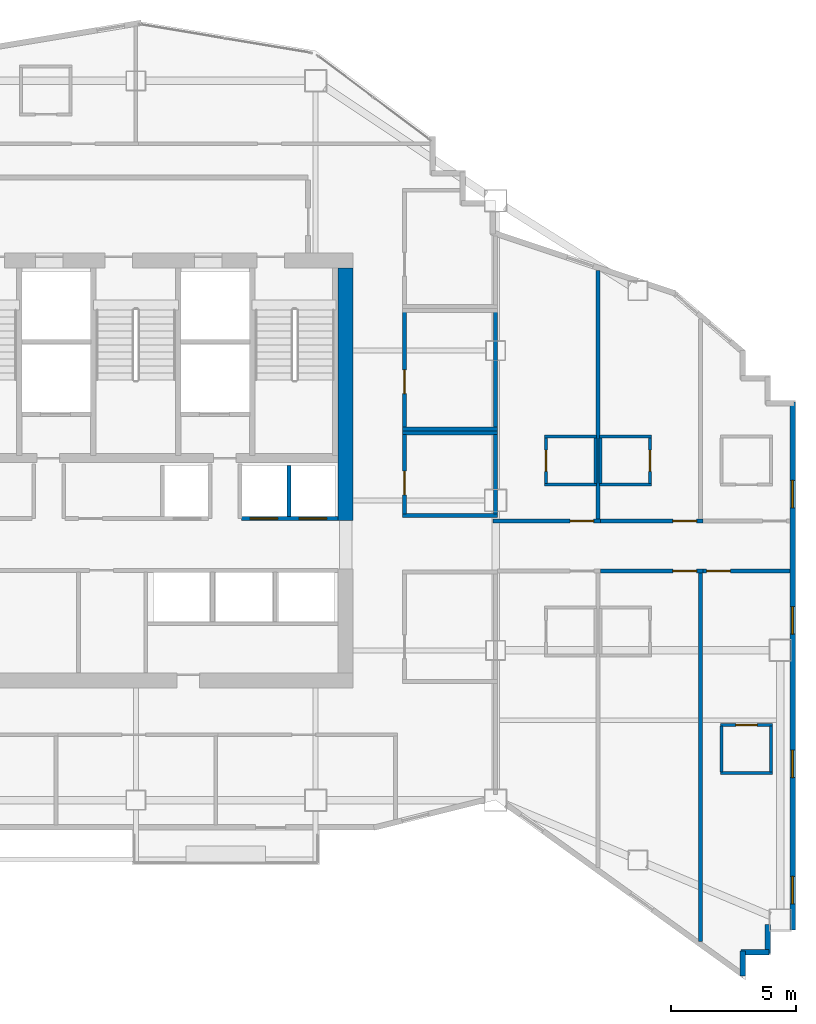
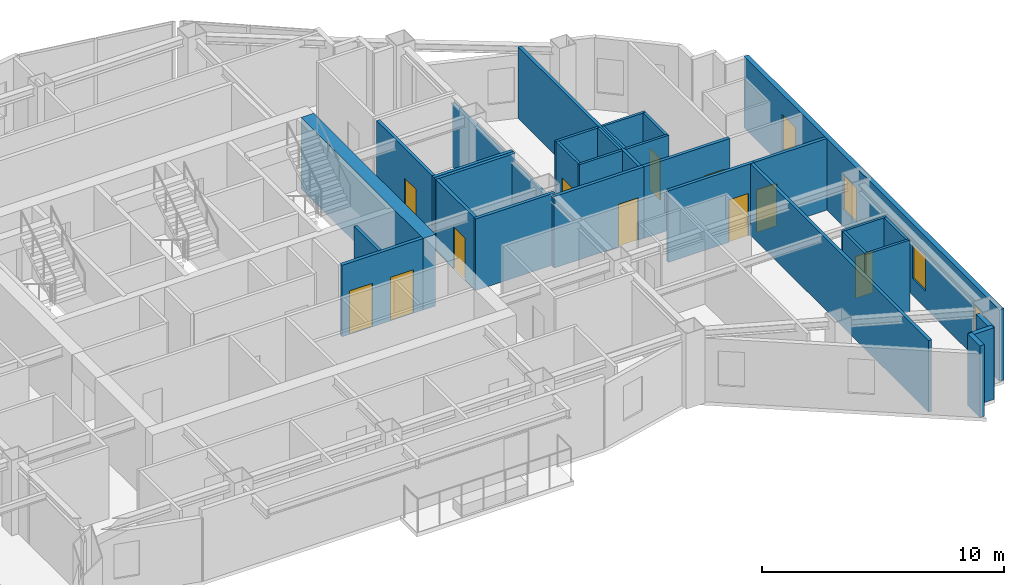
# One storey, part 8 of 11: 32 walls, 11 doors, 4 windows, 15 openings.
"""IFC4 building model written with IfcOpenShell, lengths in metres."""

import ifcopenshell
import ifcopenshell.guid

model = None  # the IFC model being written
_history = None  # IfcOwnerHistory: only IFC2X3 demands one
_inside = {}  # id of a spatial element -> (the spatial element, [elements in it])
_under = {}  # id of a project, library or spatial element -> (it, [spatial elements below it])
_declared = {}  # id of a project -> (the project, [libraries it declares])
_typed = {}  # id of a type object -> (the type object, [elements of that type])
_made_of = {}  # id of a material, layer set ... -> (it, [elements and type objects made of it])


def new_model(schema):
    """Start an empty IFC model of exactly this schema.

    Asked for "IFC4X3", IfcOpenShell would pick the latest addendum, in which some entities
    have other attributes; the version numbers below select the first issue.
    IFC2X3 requires an IfcOwnerHistory on every rooted entity: one is made here for all.
    """
    global model, _history
    if schema == "IFC4X3":
        model = ifcopenshell.file(schema_version=(4, 3, 0, 0))
    else:
        model = ifcopenshell.file(schema=schema)
    _inside.clear()
    _under.clear()
    _declared.clear()
    _typed.clear()
    _made_of.clear()
    _history = None
    if model.schema == "IFC2X3":
        org = make("IfcOrganization", Name="unknown")
        user = make(
            "IfcPersonAndOrganization",
            ThePerson=make("IfcPerson", FamilyName="unknown"),
            TheOrganization=org,
        )
        app = make(
            "IfcApplication",
            ApplicationDeveloper=org,
            Version="unknown",
            ApplicationFullName="unknown",
            ApplicationIdentifier="unknown",
        )
        _history = make(
            "IfcOwnerHistory",
            OwningUser=user,
            OwningApplication=app,
            ChangeAction="ADDED",
            CreationDate=0,
        )
    return model


def make(cls, **values):
    """One entity of the class cls with the attributes given. An attribute that is None is left unset."""
    return model.create_entity(
        cls, **{name: value for name, value in values.items() if value is not None}
    )


def rooted(cls, **values):
    """An entity with a GlobalId (a new one), such as an element, a storey or a relation."""
    return make(cls, GlobalId=ifcopenshell.guid.new(), OwnerHistory=_history, **values)


def si_unit(unit_type, name, prefix=None):
    """IfcSIUnit, for example si_unit("LENGTHUNIT", "METRE", prefix="MILLI")."""
    return make("IfcSIUnit", UnitType=unit_type, Prefix=prefix, Name=name)


def assignment(units):
    """IfcUnitAssignment: the units of a project."""
    return None if units is None else make("IfcUnitAssignment", Units=units)


def point(xyz):
    """IfcCartesianPoint."""
    return None if xyz is None else make("IfcCartesianPoint", Coordinates=xyz)


def direction(xyz):
    """IfcDirection."""
    return None if xyz is None else make("IfcDirection", DirectionRatios=xyz)


def frame(location, z_axis=None, x_axis=None):
    """IfcAxis2Placement3D, a coordinate frame: its origin and axes. An axis left out is left unset."""
    return make(
        "IfcAxis2Placement3D",
        Location=point(location),
        Axis=direction(z_axis),
        RefDirection=direction(x_axis),
    )


def frame_2d(location, x_axis=None):
    """IfcAxis2Placement2D, a coordinate frame in the plane: its origin and x axis."""
    return make(
        "IfcAxis2Placement2D", Location=point(location), RefDirection=direction(x_axis)
    )


def origin():
    """The frame at (0, 0, 0) with its axes left unset."""
    return frame((0.0, 0.0, 0.0))


def place(relative_to, where):
    """IfcLocalPlacement: puts the frame where relative to a parent placement (None: the world)."""
    return make(
        "IfcLocalPlacement", PlacementRelTo=relative_to, RelativePlacement=where
    )


def context(
    kind, dimensions, precision=None, world=None, true_north=None, identifier=None
):
    """IfcGeometricRepresentationContext, for example the 3D "Model" context."""
    return make(
        "IfcGeometricRepresentationContext",
        ContextIdentifier=identifier,
        ContextType=kind,
        CoordinateSpaceDimension=dimensions,
        Precision=precision,
        WorldCoordinateSystem=world,
        TrueNorth=true_north,
    )


def subcontext(parent, identifier, kind, view, scale=None):
    """IfcGeometricRepresentationSubContext, for example "Body" below "Model"."""
    return make(
        "IfcGeometricRepresentationSubContext",
        ContextIdentifier=identifier,
        ContextType=kind,
        ParentContext=parent,
        TargetScale=scale,
        TargetView=view,
    )


def project(units=None, contexts=None):
    """IfcProject with its units and contexts."""
    return rooted(
        "IfcProject",
        Name="project",
        RepresentationContexts=contexts,
        UnitsInContext=assignment(units),
    )


def spatial(cls, under=None, at=None, **own):
    """A site, building, storey or space (cls), placed at a placement, below another one or the project."""
    s = rooted(cls, ObjectPlacement=at, **own)
    if under is not None:
        _under.setdefault(under.id(), (under, []))[1].append(s)
    return s


def profile(cls, at=None, kind="AREA", **sizes):
    """A parametric profile (cls). Its sizes go by their IFC names, for example OverallWidth=200.0."""
    return make(cls, ProfileType=kind, Position=at, **sizes)


def rectangle(**sizes):
    """IfcRectangleProfileDef."""
    return profile("IfcRectangleProfileDef", **sizes)


def extrude(swept, where, along, depth):
    """IfcExtrudedAreaSolid: the profile swept, set in the frame where, extruded along a direction by depth."""
    return make(
        "IfcExtrudedAreaSolid",
        SweptArea=swept,
        Position=where,
        ExtrudedDirection=direction(along),
        Depth=depth,
    )


def shape(context_of_items, identifier, shape_type, items):
    """IfcShapeRepresentation: the items that make up one representation, for example the "Body"."""
    return make(
        "IfcShapeRepresentation",
        ContextOfItems=context_of_items,
        RepresentationIdentifier=identifier,
        RepresentationType=shape_type,
        Items=items,
    )


def material(Name=None, Category=None):
    """IfcMaterial."""
    return make("IfcMaterial", Name=Name, Category=Category)


def layer(
    of_material, thickness, ventilated=None, Name=None, Category=None, Priority=None
):
    """IfcMaterialLayer: one layer of a wall or slab, of a material (None: an air gap)."""
    return make(
        "IfcMaterialLayer",
        Material=of_material,
        LayerThickness=thickness,
        IsVentilated=ventilated,
        Name=Name,
        Category=Category,
        Priority=Priority,
    )


def layer_set(layers, Name=None):
    """IfcMaterialLayerSet."""
    return make("IfcMaterialLayerSet", MaterialLayers=layers, LayerSetName=Name)


def made_of(thing, what):
    """Note that an element or type object is made of a material, layer set ...; save() writes the relation."""
    if what is not None:
        _made_of.setdefault(what.id(), (what, []))[1].append(thing)
    return thing


def type_object(cls, material=None, **own):
    """A type object (cls), such as IfcWallType, which elements share."""
    return made_of(rooted(cls, **own), material)


def element(
    cls,
    number,
    at=None,
    inside=None,
    cuts=None,
    type_object=None,
    material=None,
    context=None,
    identifier="Body",
    shape_type=None,
    held_by="IfcProductDefinitionShape",
    body=None,
    shapes=None,
    **own,
):
    """One element of the class cls, such as IfcWall. Its Tag is "e" and its number.

    at: its placement. inside: the storey or other place that contains it. cuts: it is an
    opening in that element (IfcRelVoidsElement). A single representation is given by context,
    identifier, shape_type and body (its items); several are given by shapes. held_by: the class
    of the entity that holds the representations. save() writes the other relations.
    """
    e = rooted(cls, Tag="e%d" % number, ObjectPlacement=at, **own)
    if body is not None:
        shapes = [shape(context, identifier, shape_type, body)]
    if shapes is not None:
        e.Representation = make(held_by, Representations=shapes)
    if inside is not None:
        _inside.setdefault(inside.id(), (inside, []))[1].append(e)
    if cuts is not None:
        rooted(
            "IfcRelVoidsElement", RelatingBuildingElement=cuts, RelatedOpeningElement=e
        )
    if type_object is not None:
        _typed.setdefault(type_object.id(), (type_object, []))[1].append(e)
    return made_of(e, material)


def fill(opening, filler):
    """IfcRelFillsElement: the door or window that sits in an opening."""
    return rooted(
        "IfcRelFillsElement",
        RelatingOpeningElement=opening,
        RelatedBuildingElement=filler,
    )


def aggregate(whole, parts):
    """IfcRelAggregates: a whole, such as a stair, and the parts it consists of."""
    return rooted("IfcRelAggregates", RelatingObject=whole, RelatedObjects=parts)


def save(model, path):
    """Write the relations noted so far, then the file.

    IfcRelAggregates (storeys below a building ...), IfcRelContainedInSpatialStructure (elements
    in a storey), IfcRelDefinesByType, IfcRelAssociatesMaterial and IfcRelDeclares: one each for
    every whole, place, type object, material and project.
    """
    for whole, parts in _under.values():
        aggregate(whole, parts)
    for where, things in _inside.values():
        rooted(
            "IfcRelContainedInSpatialStructure",
            RelatedElements=things,
            RelatingStructure=where,
        )
    for kind, things in _typed.values():
        rooted("IfcRelDefinesByType", RelatedObjects=things, RelatingType=kind)
    for what, things in _made_of.values():
        rooted("IfcRelAssociatesMaterial", RelatedObjects=things, RelatingMaterial=what)
    for by, libraries in _declared.values():
        rooted("IfcRelDeclares", RelatingContext=by, RelatedDefinitions=libraries)
    model.write(path)


model = new_model("IFC4")

# Units and contexts
model_context = context("Model", 3, precision=1e-05, world=origin(), true_north=direction((0.0, 1.0)))
body_context = subcontext(model_context, "Body", "Model", "MODEL_VIEW")
ifc_project = project(units=[si_unit("LENGTHUNIT", "METRE"), si_unit("AREAUNIT", "SQUARE_METRE"), si_unit("VOLUMEUNIT", "CUBIC_METRE"), si_unit("PLANEANGLEUNIT", "RADIAN"), si_unit("MASSUNIT", "GRAM", prefix="KILO")], contexts=[model_context])

# Site, building, storey
site_placement = place(None, origin())
site = spatial("IfcSite", under=ifc_project, at=site_placement, CompositionType="ELEMENT")
building_placement = place(site_placement, origin())
building = spatial("IfcBuilding", under=site, at=building_placement, Name="Haolan Belvedere Tower", CompositionType="ELEMENT")
storey_placement = place(building_placement, frame((0.0, 0.0, 223.0)))
storey = spatial("IfcBuildingStorey", under=building, at=storey_placement, Name="L56", CompositionType="ELEMENT", Elevation=223.0)

# Walls
ifc_material_1 = material(Name="Concrete C60/75", Category="concrete")
ifc_layer_1 = layer(ifc_material_1, 0.60009765625, Name="Concrete C60/75")
ifc_layer_set_1 = layer_set([ifc_layer_1], Name="Concrete C60/75")
wall_type_1 = type_object("IfcWallType", Name="WL-CORE-600", PredefinedType="SHEAR", material=ifc_layer_set_1)
wall_1_placement = place(storey_placement, frame((46.800048828125, 32.800048828125, 0.0), z_axis=(0.0, 0.0, 1.0), x_axis=(0.0, 1.0, 0.0)))
element("IfcWall", 1, at=wall_1_placement, inside=storey, type_object=wall_type_1, Name="L56 central core shear wall EN", PredefinedType="SHEAR", context=body_context, shape_type="SweptSolid", body=[
    extrude(rectangle(XDim=10.099853515625, YDim=0.60009765625, at=frame_2d((5.0498046875, 0.0))), origin(), (0.0, 0.0, 1.0), 3.6201171875),
])
ifc_material_2 = material(Name="Precast concrete C40/50", Category="concrete")
ifc_layer_2 = layer(ifc_material_2, 0.219970703125, Name="Precast concrete C40/50")
ifc_layer_set_2 = layer_set([ifc_layer_2], Name="Precast concrete C40/50")
wall_type_2 = type_object("IfcWallType", Name="WL-EXT-220", PredefinedType="SOLIDWALL", material=ifc_layer_set_2)
wall_2_placement = place(storey_placement, frame((62.68994140625, 14.559814453125, 0.0), z_axis=(0.0, 0.0, 1.0), x_axis=(0.0, 1.0, 0.0)))
element("IfcWall", 2, at=wall_2_placement, inside=storey, type_object=wall_type_2, Name="L56 pale-metal exterior spandrel wall 4.1", PredefinedType="SOLIDWALL", context=body_context, shape_type="SweptSolid", body=[
    extrude(rectangle(XDim=1.005126953125, YDim=0.219970703125, at=frame_2d((0.50244140625, 0.0))), origin(), (0.0, 0.0, 1.0), 3.6201171875),
])
wall_3_placement = place(storey_placement, frame((62.635009765625, 15.510009765625, 0.0), z_axis=(0.0, 0.0, 1.0), x_axis=(1.0, 0.0, 0.0)))
element("IfcWall", 3, at=wall_3_placement, inside=storey, type_object=wall_type_2, Name="L56 pale-metal exterior spandrel wall 5.1", PredefinedType="SOLIDWALL", context=body_context, shape_type="SweptSolid", body=[
    extrude(rectangle(XDim=1.110107421875, YDim=0.219970703125, at=frame_2d((0.55517578125, 0.0))), origin(), (0.0, 0.0, 1.0), 3.6201171875),
])
wall_4_placement = place(storey_placement, frame((63.68994140625, 15.455078125, 0.0), z_axis=(0.0, 0.0, 1.0), x_axis=(0.0, 1.0, 0.0)))
element("IfcWall", 4, at=wall_4_placement, inside=storey, type_object=wall_type_2, Name="L56 pale-metal exterior spandrel wall 6.1", PredefinedType="SOLIDWALL", context=body_context, shape_type="SweptSolid", body=[
    extrude(rectangle(XDim=1.1650390625, YDim=0.219970703125, at=frame_2d((0.58251953125, 0.0))), origin(), (0.0, 0.0, 1.0), 3.6201171875),
])

# Wall, openings, windows
wall_5_placement = place(storey_placement, frame((64.68994140625, 16.39990234375, 0.0), z_axis=(0.0, 0.0, 1.0), x_axis=(0.0, 1.0, 0.0)))
wall_5 = element("IfcWall", 5, at=wall_5_placement, inside=storey, type_object=wall_type_2, Name="L56 pale-metal exterior spandrel wall 8.1", PredefinedType="SOLIDWALL", context=body_context, shape_type="SweptSolid", body=[
    extrude(rectangle(XDim=21.14501953125, YDim=0.219970703125, at=frame_2d((10.572509765625, 0.0))), origin(), (0.0, 0.0, 1.0), 3.6201171875),
])
opening_1_placement = place(wall_5_placement, frame((1.050048828125, 0.0, 0.85009765625)))
opening_1 = element("IfcOpeningElement", 6, at=opening_1_placement, cuts=wall_5, Name="Opening W-03", PredefinedType="OPENING", context=body_context, shape_type="SweptSolid", body=[
    extrude(rectangle(XDim=1.10009765625, YDim=1.75, at=frame_2d((0.550048828125, 0.875))), frame((0.0, 0.119873046875, 0.0), z_axis=(0.0, -1.0, 0.0), x_axis=(1.0, 0.0, 0.0)), (0.0, 0.0, 1.0), 0.239990234375),
])
opening_2_placement = place(wall_5_placement, frame((6.10009765625, 0.0, 0.85009765625)))
opening_2 = element("IfcOpeningElement", 7, at=opening_2_placement, cuts=wall_5, Name="Opening W-03", PredefinedType="OPENING", context=body_context, shape_type="SweptSolid", body=[
    extrude(rectangle(XDim=1.10009765625, YDim=1.75, at=frame_2d((0.550048828125, 0.875))), frame((0.0, 0.119873046875, 0.0), z_axis=(0.0, -1.0, 0.0), x_axis=(1.0, 0.0, 0.0)), (0.0, 0.0, 1.0), 0.239990234375),
])
opening_3_placement = place(wall_5_placement, frame((11.85009765625, 0.0, 0.85009765625)))
opening_3 = element("IfcOpeningElement", 8, at=opening_3_placement, cuts=wall_5, Name="Opening W-03", PredefinedType="OPENING", context=body_context, shape_type="SweptSolid", body=[
    extrude(rectangle(XDim=1.10009765625, YDim=1.75, at=frame_2d((0.550048828125, 0.875))), frame((0.0, 0.119873046875, 0.0), z_axis=(0.0, -1.0, 0.0), x_axis=(1.0, 0.0, 0.0)), (0.0, 0.0, 1.0), 0.239990234375),
])
opening_4_placement = place(wall_5_placement, frame((16.89990234375, 0.0, 0.85009765625)))
opening_4 = element("IfcOpeningElement", 9, at=opening_4_placement, cuts=wall_5, Name="Opening W-03", PredefinedType="OPENING", context=body_context, shape_type="SweptSolid", body=[
    extrude(rectangle(XDim=1.10009765625, YDim=1.75, at=frame_2d((0.550048828125, 0.875))), frame((0.0, 0.119873046875, 0.0), z_axis=(0.0, -1.0, 0.0), x_axis=(1.0, 0.0, 0.0)), (0.0, 0.0, 1.0), 0.239990234375),
])
ifc_material_3 = material(Name="Anodised aluminium 6063-T6 and Low-E glass", Category="aluminium")
window_type = type_object("IfcWindowType", Name="WN-DECO-Z3", PartitioningType="SINGLE_PANEL", PredefinedType="WINDOW", material=ifc_material_3)
window_1_placement = place(opening_1_placement, origin())
window_1 = element("IfcWindow", 10, at=window_1_placement, inside=storey, type_object=window_type, Name="L56 Art Deco chevron window 1", OverallHeight=1.75, OverallWidth=1.10009765625, PartitioningType="SINGLE_PANEL", PredefinedType="WINDOW", context=body_context, shape_type="SweptSolid", body=[
    extrude(rectangle(XDim=1.10009765625, YDim=1.75, at=frame_2d((0.550048828125, 0.875))), frame((0.0, 0.030029296875, 0.0), z_axis=(0.0, -1.0, 0.0), x_axis=(1.0, 0.0, 0.0)), (0.0, 0.0, 1.0), 0.06005859375),
])
fill(opening_1, window_1)
window_2_placement = place(opening_2_placement, origin())
window_2 = element("IfcWindow", 11, at=window_2_placement, inside=storey, type_object=window_type, Name="L56 Art Deco chevron window 2", OverallHeight=1.75, OverallWidth=1.10009765625, PartitioningType="SINGLE_PANEL", PredefinedType="WINDOW", context=body_context, shape_type="SweptSolid", body=[
    extrude(rectangle(XDim=1.10009765625, YDim=1.75, at=frame_2d((0.550048828125, 0.875))), frame((0.0, 0.030029296875, 0.0), z_axis=(0.0, -1.0, 0.0), x_axis=(1.0, 0.0, 0.0)), (0.0, 0.0, 1.0), 0.06005859375),
])
fill(opening_2, window_2)
window_3_placement = place(opening_3_placement, origin())
window_3 = element("IfcWindow", 12, at=window_3_placement, inside=storey, type_object=window_type, Name="L56 Art Deco chevron window 3", OverallHeight=1.75, OverallWidth=1.10009765625, PartitioningType="SINGLE_PANEL", PredefinedType="WINDOW", context=body_context, shape_type="SweptSolid", body=[
    extrude(rectangle(XDim=1.10009765625, YDim=1.75, at=frame_2d((0.550048828125, 0.875))), frame((0.0, 0.030029296875, 0.0), z_axis=(0.0, -1.0, 0.0), x_axis=(1.0, 0.0, 0.0)), (0.0, 0.0, 1.0), 0.06005859375),
])
fill(opening_3, window_3)
window_4_placement = place(opening_4_placement, origin())
window_4 = element("IfcWindow", 13, at=window_4_placement, inside=storey, type_object=window_type, Name="L56 Art Deco chevron window 4", OverallHeight=1.75, OverallWidth=1.10009765625, PartitioningType="SINGLE_PANEL", PredefinedType="WINDOW", context=body_context, shape_type="SweptSolid", body=[
    extrude(rectangle(XDim=1.10009765625, YDim=1.75, at=frame_2d((0.550048828125, 0.875))), frame((0.0, 0.030029296875, 0.0), z_axis=(0.0, -1.0, 0.0), x_axis=(1.0, 0.0, 0.0)), (0.0, 0.0, 1.0), 0.06005859375),
])
fill(opening_4, window_4)

# Walls
ifc_material_4 = material(Name="Double gypsum acoustic stud partition", Category="masonry")
ifc_layer_3 = layer(ifc_material_4, 0.14990234375, Name="Double gypsum acoustic stud partition")
ifc_layer_set_3 = layer_set([ifc_layer_3], Name="Double gypsum acoustic stud partition")
wall_type_3 = type_object("IfcWallType", Name="WL-PART-150", PredefinedType="PARTITIONING", material=ifc_layer_set_3)
for number, where, z_axis, x_axis, name in (
    (14, (49.080078125, 36.300048828125, 0.0), (0.0, 0.0, 1.0), (1.0, 0.0, 0.0), "L56 interior partition IW-L56-AWC-N"),
    (15, (49.080078125, 33.0, 0.0), (0.0, 0.0, 1.0), (1.0, 0.0, 0.0), "L56 interior partition IW-L56-AWC-S"),
):
    element("IfcWall", number, at=place(storey_placement, frame(where, z_axis=z_axis, x_axis=x_axis)), inside=storey, type_object=wall_type_3, Name=name, PredefinedType="PARTITIONING", context=body_context, shape_type="SweptSolid", body=[
        extrude(rectangle(XDim=3.7998046875, YDim=0.14990234375, at=frame_2d((1.89990234375, 0.0))), origin(), (0.0, 0.0, 1.0), 3.6201171875),
    ])

# Wall, opening, door
wall_6_placement = place(storey_placement, frame((49.159912109375, 33.06005859375, 0.0), z_axis=(0.0, 0.0, 1.0), x_axis=(0.0, 1.0, 0.0)))
wall_6 = element("IfcWall", 16, at=wall_6_placement, inside=storey, type_object=wall_type_3, Name="L56 interior partition IW-L56-AWC-W", PredefinedType="PARTITIONING", context=body_context, shape_type="SweptSolid", body=[
    extrude(rectangle(XDim=3.179931640625, YDim=0.14990234375, at=frame_2d((1.58984375, 0.0))), origin(), (0.0, 0.0, 1.0), 3.6201171875),
])
opening_5_placement = place(wall_6_placement, frame((0.760009765625, 0.0, 0.0)))
opening_5 = element("IfcOpeningElement", 17, at=opening_5_placement, cuts=wall_6, Name="Opening ID-03", PredefinedType="OPENING", context=body_context, shape_type="SweptSolid", body=[
    extrude(rectangle(XDim=0.949951171875, YDim=2.1201171875, at=frame_2d((0.47509765625, 1.06005859375))), frame((0.0, 0.0849609375, 0.0), z_axis=(0.0, -1.0, 0.0), x_axis=(1.0, 0.0, 0.0)), (0.0, 0.0, 1.0), 0.169921875),
])
ifc_material_5 = material(Name="Painted solid-core timber", Category="wood")
door_type_1 = type_object("IfcDoorType", Name="DR-INT-950", OperationType="NOTDEFINED", PredefinedType="DOOR", material=ifc_material_5)
door_1_placement = place(opening_5_placement, origin())
door_1 = element("IfcDoor", 18, at=door_1_placement, inside=storey, type_object=door_type_1, Name="L56 door ID-L56-AWC", OperationType="SINGLE_SWING_LEFT", OverallHeight=2.1201171875, OverallWidth=0.949951171875, PredefinedType="DOOR", context=body_context, shape_type="SweptSolid", body=[
    extrude(rectangle(XDim=0.949951171875, YDim=2.1201171875, at=frame_2d((0.47509765625, 1.06005859375))), frame((0.0, 0.02490234375, 0.0), z_axis=(0.0, -1.0, 0.0), x_axis=(1.0, 0.0, 0.0)), (0.0, 0.0, 1.0), 0.050048828125),
])
fill(opening_5, door_1)

# Walls
wall_7_placement = place(storey_placement, frame((52.800048828125, 33.06005859375, 0.0), z_axis=(0.0, 0.0, 1.0), x_axis=(0.0, 1.0, 0.0)))
element("IfcWall", 19, at=wall_7_placement, inside=storey, type_object=wall_type_3, Name="L56 interior partition IW-L56-AWC-E", PredefinedType="PARTITIONING", context=body_context, shape_type="SweptSolid", body=[
    extrude(rectangle(XDim=3.179931640625, YDim=0.14990234375, at=frame_2d((1.58984375, 0.0))), origin(), (0.0, 0.0, 1.0), 3.215087890625),
])
wall_8_placement = place(storey_placement, frame((49.080078125, 36.4599609375, 0.0), z_axis=(0.0, 0.0, 1.0), x_axis=(1.0, 0.0, 0.0)))
element("IfcWall", 20, at=wall_8_placement, inside=storey, type_object=wall_type_3, Name="L56 interior partition IW-L56-STY-S", PredefinedType="PARTITIONING", context=body_context, shape_type="SweptSolid", body=[
    extrude(rectangle(XDim=3.7998046875, YDim=0.14990234375, at=frame_2d((1.89990234375, 0.0))), origin(), (0.0, 0.0, 1.0), 3.6201171875),
])

# Wall, opening, door
wall_9_placement = place(storey_placement, frame((49.159912109375, 36.52001953125, 0.0), z_axis=(0.0, 0.0, 1.0), x_axis=(0.0, 1.0, 0.0)))
wall_9 = element("IfcWall", 21, at=wall_9_placement, inside=storey, type_object=wall_type_3, Name="L56 interior partition IW-L56-STY-W", PredefinedType="PARTITIONING", context=body_context, shape_type="SweptSolid", body=[
    extrude(rectangle(XDim=4.619873046875, YDim=0.14990234375, at=frame_2d((2.31005859375, 0.0))), origin(), (0.0, 0.0, 1.0), 3.6201171875),
])
opening_6_placement = place(wall_9_placement, frame((1.360107421875, 0.0, 0.0)))
opening_6 = element("IfcOpeningElement", 22, at=opening_6_placement, cuts=wall_9, Name="Opening ID-03", PredefinedType="OPENING", context=body_context, shape_type="SweptSolid", body=[
    extrude(rectangle(XDim=0.949951171875, YDim=2.1201171875, at=frame_2d((0.47509765625, 1.06005859375))), frame((0.0, 0.0849609375, 0.0), z_axis=(0.0, -1.0, 0.0), x_axis=(1.0, 0.0, 0.0)), (0.0, 0.0, 1.0), 0.169921875),
])
door_2_placement = place(opening_6_placement, origin())
door_2 = element("IfcDoor", 23, at=door_2_placement, inside=storey, type_object=door_type_1, Name="L56 door ID-L56-STY", OperationType="SINGLE_SWING_RIGHT", OverallHeight=2.1201171875, OverallWidth=0.949951171875, PredefinedType="DOOR", context=body_context, shape_type="SweptSolid", body=[
    extrude(rectangle(XDim=0.949951171875, YDim=2.1201171875, at=frame_2d((0.47509765625, 1.06005859375))), frame((0.0, 0.02490234375, 0.0), z_axis=(0.0, -1.0, 0.0), x_axis=(1.0, 0.0, 0.0)), (0.0, 0.0, 1.0), 0.050048828125),
])
fill(opening_6, door_2)

# Wall
wall_10_placement = place(storey_placement, frame((52.800048828125, 36.52001953125, 0.0), z_axis=(0.0, 0.0, 1.0), x_axis=(0.0, 1.0, 0.0)))
element("IfcWall", 24, at=wall_10_placement, inside=storey, type_object=wall_type_3, Name="L56 interior partition IW-L56-STY-E", PredefinedType="PARTITIONING", context=body_context, shape_type="SweptSolid", body=[
    extrude(rectangle(XDim=4.619873046875, YDim=0.14990234375, at=frame_2d((2.31005859375, 0.0))), origin(), (0.0, 0.0, 1.0), 3.215087890625),
])

# Wall, opening, door
wall_11_placement = place(storey_placement, frame((52.699951171875, 32.780029296875, 0.0), z_axis=(0.0, 0.0, 1.0), x_axis=(1.0, 0.0, 0.0)))
wall_11 = element("IfcWall", 25, at=wall_11_placement, inside=storey, type_object=wall_type_3, Name="L56 interior partition IW-L56-T4N1-S", PredefinedType="PARTITIONING", context=body_context, shape_type="SweptSolid", body=[
    extrude(rectangle(XDim=4.300048828125, YDim=0.14990234375, at=frame_2d((2.14990234375, 0.0))), origin(), (0.0, 0.0, 1.0), 3.6201171875),
])
opening_7_placement = place(wall_11_placement, frame((3.081787109375, 0.0, 0.0)))
opening_7 = element("IfcOpeningElement", 26, at=opening_7_placement, cuts=wall_11, Name="Opening ID-02", PredefinedType="OPENING", context=body_context, shape_type="SweptSolid", body=[
    extrude(rectangle(XDim=0.949951171875, YDim=2.14990234375, at=frame_2d((0.47509765625, 1.074951171875))), frame((0.0, 0.0849609375, 0.0), z_axis=(0.0, -1.0, 0.0), x_axis=(1.0, 0.0, 0.0)), (0.0, 0.0, 1.0), 0.169921875),
])
ifc_material_6 = material(Name="Acoustic oak veneer fire-rated timber", Category="wood")
door_type_2 = type_object("IfcDoorType", Name="DR-GUEST-950", OperationType="NOTDEFINED", PredefinedType="DOOR", material=ifc_material_6)
door_3_placement = place(opening_7_placement, origin())
door_3 = element("IfcDoor", 27, at=door_3_placement, inside=storey, type_object=door_type_2, Name="L56 door ID-L56-T4N1-ENT", OperationType="SINGLE_SWING_RIGHT", OverallHeight=2.14990234375, OverallWidth=0.949951171875, PredefinedType="DOOR", context=body_context, shape_type="SweptSolid", body=[
    extrude(rectangle(XDim=0.949951171875, YDim=2.14990234375, at=frame_2d((0.47509765625, 1.074951171875))), frame((0.0, 0.02490234375, 0.0), z_axis=(0.0, -1.0, 0.0), x_axis=(1.0, 0.0, 0.0)), (0.0, 0.0, 1.0), 0.050048828125),
])
fill(opening_7, door_3)

# Wall
wall_12_placement = place(storey_placement, frame((56.89990234375, 32.840087890625, 0.0), z_axis=(0.0, 0.0, 1.0), x_axis=(0.0, 1.0, 0.0)))
element("IfcWall", 28, at=wall_12_placement, inside=storey, type_object=wall_type_3, Name="L56 interior partition IW-L56-T4N1-E", PredefinedType="PARTITIONING", context=body_context, shape_type="SweptSolid", body=[
    extrude(rectangle(XDim=9.9697265625, YDim=0.14990234375, at=frame_2d((4.98486328125, 0.0))), origin(), (0.0, 0.0, 1.0), 3.6201171875),
])

# Wall, opening, door
wall_13_placement = place(storey_placement, frame((57.001953125, 32.780029296875, 0.0), z_axis=(0.0, 0.0, 1.0), x_axis=(1.0, 0.0, 0.0)))
wall_13 = element("IfcWall", 29, at=wall_13_placement, inside=storey, type_object=wall_type_3, Name="L56 interior partition IW-L56-T4N2-S", PredefinedType="PARTITIONING", context=body_context, shape_type="SweptSolid", body=[
    extrude(rectangle(XDim=4.108154296875, YDim=0.14990234375, at=frame_2d((2.05419921875, 0.0))), origin(), (0.0, 0.0, 1.0), 3.6201171875),
])
opening_8_placement = place(wall_13_placement, frame((2.896484375, 0.0, 0.0)))
opening_8 = element("IfcOpeningElement", 30, at=opening_8_placement, cuts=wall_13, Name="Opening ID-02", PredefinedType="OPENING", context=body_context, shape_type="SweptSolid", body=[
    extrude(rectangle(XDim=0.949951171875, YDim=2.14990234375, at=frame_2d((0.47509765625, 1.074951171875))), frame((0.0, 0.0849609375, 0.0), z_axis=(0.0, -1.0, 0.0), x_axis=(1.0, 0.0, 0.0)), (0.0, 0.0, 1.0), 0.169921875),
])
door_4_placement = place(opening_8_placement, origin())
door_4 = element("IfcDoor", 31, at=door_4_placement, inside=storey, type_object=door_type_2, Name="L56 door ID-L56-T4N2-ENT", OperationType="SINGLE_SWING_LEFT", OverallHeight=2.14990234375, OverallWidth=0.949951171875, PredefinedType="DOOR", context=body_context, shape_type="SweptSolid", body=[
    extrude(rectangle(XDim=0.949951171875, YDim=2.14990234375, at=frame_2d((0.47509765625, 1.074951171875))), frame((0.0, 0.02490234375, 0.0), z_axis=(0.0, -1.0, 0.0), x_axis=(1.0, 0.0, 0.0)), (0.0, 0.0, 1.0), 0.050048828125),
])
fill(opening_8, door_4)

wall_14_placement = place(storey_placement, frame((57.001953125, 30.77001953125, 0.0), z_axis=(0.0, 0.0, 1.0), x_axis=(1.0, 0.0, 0.0)))
wall_14 = element("IfcWall", 32, at=wall_14_placement, inside=storey, type_object=wall_type_3, Name="L56 interior partition IW-L56-T4S2-N", PredefinedType="PARTITIONING", context=body_context, shape_type="SweptSolid", body=[
    extrude(rectangle(XDim=4.108154296875, YDim=0.14990234375, at=frame_2d((2.05419921875, 0.0))), origin(), (0.0, 0.0, 1.0), 3.6201171875),
])
opening_9_placement = place(wall_14_placement, frame((3.846435546875, 0.0, 0.0), z_axis=(0.0, 0.0, 1.0), x_axis=(-1.0, 0.0, 0.0)))
opening_9 = element("IfcOpeningElement", 33, at=opening_9_placement, cuts=wall_14, Name="Opening ID-02", PredefinedType="OPENING", context=body_context, shape_type="SweptSolid", body=[
    extrude(rectangle(XDim=0.949951171875, YDim=2.14990234375, at=frame_2d((0.47509765625, 1.074951171875))), frame((0.0, 0.0849609375, 0.0), z_axis=(0.0, -1.0, 0.0), x_axis=(1.0, 0.0, 0.0)), (0.0, 0.0, 1.0), 0.169921875),
])
door_5_placement = place(opening_9_placement, origin())
door_5 = element("IfcDoor", 34, at=door_5_placement, inside=storey, type_object=door_type_2, Name="L56 door ID-L56-T4S2-ENT", OperationType="SINGLE_SWING_RIGHT", OverallHeight=2.14990234375, OverallWidth=0.949951171875, PredefinedType="DOOR", context=body_context, shape_type="SweptSolid", body=[
    extrude(rectangle(XDim=0.949951171875, YDim=2.14990234375, at=frame_2d((0.47509765625, 1.074951171875))), frame((0.0, 0.02490234375, 0.0), z_axis=(0.0, -1.0, 0.0), x_axis=(1.0, 0.0, 0.0)), (0.0, 0.0, 1.0), 0.050048828125),
])
fill(opening_9, door_5)

# Wall
wall_15_placement = place(storey_placement, frame((61.010009765625, 15.949951171875, 0.0), z_axis=(0.0, 0.0, 1.0), x_axis=(0.0, 1.0, 0.0)))
element("IfcWall", 35, at=wall_15_placement, inside=storey, type_object=wall_type_3, Name="L56 interior partition IW-L56-T4S2-E", PredefinedType="PARTITIONING", context=body_context, shape_type="SweptSolid", body=[
    extrude(rectangle(XDim=14.760009765625, YDim=0.14990234375, at=frame_2d((7.3798828125, 0.0))), origin(), (0.0, 0.0, 1.0), 3.6201171875),
])

# Wall, opening, door
wall_16_placement = place(storey_placement, frame((61.112060546875, 30.77001953125, 0.0), z_axis=(0.0, 0.0, 1.0), x_axis=(1.0, 0.0, 0.0)))
wall_16 = element("IfcWall", 36, at=wall_16_placement, inside=storey, type_object=wall_type_3, Name="L56 interior partition IW-L56-T4S3-N", PredefinedType="PARTITIONING", context=body_context, shape_type="SweptSolid", body=[
    extrude(rectangle(XDim=3.475830078125, YDim=0.14990234375, at=frame_2d((1.73779296875, 0.0))), origin(), (0.0, 0.0, 1.0), 3.6201171875),
])
opening_10_placement = place(wall_16_placement, frame((1.08984375, 0.0, 0.0), z_axis=(0.0, 0.0, 1.0), x_axis=(-1.0, 0.0, 0.0)))
opening_10 = element("IfcOpeningElement", 37, at=opening_10_placement, cuts=wall_16, Name="Opening ID-02", PredefinedType="OPENING", context=body_context, shape_type="SweptSolid", body=[
    extrude(rectangle(XDim=0.949951171875, YDim=2.14990234375, at=frame_2d((0.47509765625, 1.074951171875))), frame((0.0, 0.0849609375, 0.0), z_axis=(0.0, -1.0, 0.0), x_axis=(1.0, 0.0, 0.0)), (0.0, 0.0, 1.0), 0.169921875),
])
door_6_placement = place(opening_10_placement, origin())
door_6 = element("IfcDoor", 38, at=door_6_placement, inside=storey, type_object=door_type_2, Name="L56 door ID-L56-T4S3-ENT", OperationType="SINGLE_SWING_LEFT", OverallHeight=2.14990234375, OverallWidth=0.949951171875, PredefinedType="DOOR", context=body_context, shape_type="SweptSolid", body=[
    extrude(rectangle(XDim=0.949951171875, YDim=2.14990234375, at=frame_2d((0.47509765625, 1.074951171875))), frame((0.0, 0.02490234375, 0.0), z_axis=(0.0, -1.0, 0.0), x_axis=(1.0, 0.0, 0.0)), (0.0, 0.0, 1.0), 0.050048828125),
])
fill(opening_10, door_6)

# Wall, openings, doors
ifc_material_7 = material(Name="Gypsum fire shaftwall assembly", Category="masonry")
ifc_layer_4 = layer(ifc_material_7, 0.1650390625, Name="Gypsum fire shaftwall assembly")
ifc_layer_set_4 = layer_set([ifc_layer_4], Name="Gypsum fire shaftwall assembly")
wall_type_4 = type_object("IfcWallType", Name="WL-SHAFT-160", PredefinedType="SOLIDWALL", material=ifc_layer_set_4)
wall_17_placement = place(storey_placement, frame((42.6298828125, 32.8798828125, 0.0), z_axis=(0.0, 0.0, 1.0), x_axis=(1.0, 0.0, 0.0)))
wall_17 = element("IfcWall", 39, at=wall_17_placement, inside=storey, type_object=wall_type_4, Name="L56 interior partition IW-L56-ROW-PN3", PredefinedType="SOLIDWALL", context=body_context, shape_type="SweptSolid", body=[
    extrude(rectangle(XDim=3.8701171875, YDim=0.159912109375, at=frame_2d((1.93505859375, 0.0))), origin(), (0.0, 0.0, 1.0), 3.6201171875),
])
opening_11_placement = place(wall_17_placement, frame((1.4501953125, 0.0, 0.0), z_axis=(0.0, 0.0, 1.0), x_axis=(-1.0, 0.0, 0.0)))
opening_11 = element("IfcOpeningElement", 40, at=opening_11_placement, cuts=wall_17, Name="Opening LD-01", PredefinedType="OPENING", context=body_context, shape_type="SweptSolid", body=[
    extrude(rectangle(XDim=1.10009765625, YDim=2.199951171875, at=frame_2d((0.550048828125, 1.10009765625))), frame((0.0, 0.08984375, 0.0), z_axis=(0.0, -1.0, 0.0), x_axis=(1.0, 0.0, 0.0)), (0.0, 0.0, 1.0), 0.179931640625),
])
opening_12_placement = place(wall_17_placement, frame((3.41015625, 0.0, 0.0), z_axis=(0.0, 0.0, 1.0), x_axis=(-1.0, 0.0, 0.0)))
opening_12 = element("IfcOpeningElement", 41, at=opening_12_placement, cuts=wall_17, Name="Opening LD-01", PredefinedType="OPENING", context=body_context, shape_type="SweptSolid", body=[
    extrude(rectangle(XDim=1.10009765625, YDim=2.199951171875, at=frame_2d((0.550048828125, 1.10009765625))), frame((0.0, 0.08984375, 0.0), z_axis=(0.0, -1.0, 0.0), x_axis=(1.0, 0.0, 0.0)), (0.0, 0.0, 1.0), 0.179931640625),
])
ifc_material_8 = material(Name="Brushed champagne stainless steel 316L", Category="steel")
door_type_3 = type_object("IfcDoorType", Name="DR-LIFT-1100", OperationType="SLIDING_TO_LEFT", PredefinedType="DOOR", material=ifc_material_8)
door_7_placement = place(opening_11_placement, origin())
door_7 = element("IfcDoor", 42, at=door_7_placement, inside=storey, type_object=door_type_3, Name="L56 door ID-L56-LD-PH2", OperationType="SLIDING_TO_RIGHT", OverallHeight=2.199951171875, OverallWidth=1.10009765625, PredefinedType="DOOR", context=body_context, shape_type="SweptSolid", body=[
    extrude(rectangle(XDim=1.10009765625, YDim=2.199951171875, at=frame_2d((0.550048828125, 1.10009765625))), frame((0.0, 0.02490234375, 0.0), z_axis=(0.0, -1.0, 0.0), x_axis=(1.0, 0.0, 0.0)), (0.0, 0.0, 1.0), 0.050048828125),
])
fill(opening_11, door_7)
door_8_placement = place(opening_12_placement, origin())
door_8 = element("IfcDoor", 43, at=door_8_placement, inside=storey, type_object=door_type_3, Name="L56 door ID-L56-LD-PH3", OperationType="SLIDING_TO_RIGHT", OverallHeight=2.199951171875, OverallWidth=1.10009765625, PredefinedType="DOOR", context=body_context, shape_type="SweptSolid", body=[
    extrude(rectangle(XDim=1.10009765625, YDim=2.199951171875, at=frame_2d((0.550048828125, 1.10009765625))), frame((0.0, 0.02490234375, 0.0), z_axis=(0.0, -1.0, 0.0), x_axis=(1.0, 0.0, 0.0)), (0.0, 0.0, 1.0), 0.050048828125),
])
fill(opening_12, door_8)

# Walls
wall_18_placement = place(storey_placement, frame((44.530029296875, 32.949951171875, 0.0), z_axis=(0.0, 0.0, 1.0), x_axis=(0.0, 1.0, 0.0)))
element("IfcWall", 44, at=wall_18_placement, inside=storey, type_object=wall_type_4, Name="L56 interior partition IW-L56-DIV-PH2", PredefinedType="SOLIDWALL", context=body_context, shape_type="SweptSolid", body=[
    extrude(rectangle(XDim=2.050048828125, YDim=0.14990234375, at=frame_2d((1.02490234375, 0.0))), origin(), (0.0, 0.0, 1.0), 3.6201171875),
])
ifc_material_9 = material(Name="Moisture-resistant gypsum tile partition", Category="masonry")
ifc_layer_5 = layer(ifc_material_9, 0.1201171875, Name="Moisture-resistant gypsum tile partition")
ifc_layer_set_5 = layer_set([ifc_layer_5], Name="Moisture-resistant gypsum tile partition")
wall_type_5 = type_object("IfcWallType", Name="WL-WET-120", PredefinedType="PARTITIONING", material=ifc_layer_set_5)
for number, where, z_axis, x_axis, name in (
    (45, (54.760009765625, 36.14990234375, 0.0), (0.0, 0.0, 1.0), (1.0, 0.0, 0.0), "L56 interior partition IW-L56-T4N1-BN"),
    (46, (54.760009765625, 34.22998046875, 0.0), (0.0, 0.0, 1.0), (1.0, 0.0, 0.0), "L56 interior partition IW-L56-T4N1-BS"),
):
    element("IfcWall", number, at=place(storey_placement, frame(where, z_axis=z_axis, x_axis=x_axis)), inside=storey, type_object=wall_type_5, Name=name, PredefinedType="PARTITIONING", context=body_context, shape_type="SweptSolid", body=[
        extrude(rectangle(XDim=2.080078125, YDim=0.1201171875, at=frame_2d((1.0400390625, 0.0))), origin(), (0.0, 0.0, 1.0), 3.6201171875),
    ])

# Wall, opening, door
wall_19_placement = place(storey_placement, frame((54.820068359375, 34.27490234375, 0.0), z_axis=(0.0, 0.0, 1.0), x_axis=(0.0, 1.0, 0.0)))
wall_19 = element("IfcWall", 47, at=wall_19_placement, inside=storey, type_object=wall_type_5, Name="L56 interior partition IW-L56-T4N1-BW", PredefinedType="PARTITIONING", context=body_context, shape_type="SweptSolid", body=[
    extrude(rectangle(XDim=1.830078125, YDim=0.1201171875, at=frame_2d((0.9150390625, 0.0))), origin(), (0.0, 0.0, 1.0), 3.6201171875),
])
opening_13_placement = place(wall_19_placement, frame((1.340087890625, 0.0, 0.0), z_axis=(0.0, 0.0, 1.0), x_axis=(-1.0, 0.0, 0.0)))
opening_13 = element("IfcOpeningElement", 48, at=opening_13_placement, cuts=wall_19, Name="Opening ID-05", PredefinedType="OPENING", context=body_context, shape_type="SweptSolid", body=[
    extrude(rectangle(XDim=0.85009765625, YDim=2.10009765625, at=frame_2d((0.425048828125, 1.050048828125))), frame((0.0, 0.070068359375, 0.0), z_axis=(0.0, -1.0, 0.0), x_axis=(1.0, 0.0, 0.0)), (0.0, 0.0, 1.0), 0.14013671875),
])
ifc_material_10 = material(Name="Moisture-resistant lacquered timber", Category="wood")
door_type_4 = type_object("IfcDoorType", Name="DR-BATH-850", OperationType="NOTDEFINED", PredefinedType="DOOR", material=ifc_material_10)
door_9_placement = place(opening_13_placement, origin())
door_9 = element("IfcDoor", 49, at=door_9_placement, inside=storey, type_object=door_type_4, Name="L56 door ID-L56-T4N1-BATH", OperationType="SINGLE_SWING_LEFT", OverallHeight=2.10009765625, OverallWidth=0.85009765625, PredefinedType="DOOR", context=body_context, shape_type="SweptSolid", body=[
    extrude(rectangle(XDim=0.85009765625, YDim=2.10009765625, at=frame_2d((0.425048828125, 1.050048828125))), frame((0.0, 0.02490234375, 0.0), z_axis=(0.0, -1.0, 0.0), x_axis=(1.0, 0.0, 0.0)), (0.0, 0.0, 1.0), 0.050048828125),
])
fill(opening_13, door_9)

# Walls
wall_20_placement = place(storey_placement, frame((56.800048828125, 34.27490234375, 0.0), z_axis=(0.0, 0.0, 1.0), x_axis=(0.0, 1.0, 0.0)))
element("IfcWall", 50, at=wall_20_placement, inside=storey, type_object=wall_type_5, Name="L56 interior partition IW-L56-T4N1-BE", PredefinedType="PARTITIONING", context=body_context, shape_type="SweptSolid", body=[
    extrude(rectangle(XDim=1.830078125, YDim=0.1201171875, at=frame_2d((0.9150390625, 0.0))), origin(), (0.0, 0.0, 1.0), 3.6201171875),
])
for number, where, z_axis, x_axis, name in (
    (51, (56.9599609375, 36.14990234375, 0.0), (0.0, 0.0, 1.0), (1.0, 0.0, 0.0), "L56 interior partition IW-L56-T4N2-BN"),
    (52, (56.9599609375, 34.22998046875, 0.0), (0.0, 0.0, 1.0), (1.0, 0.0, 0.0), "L56 interior partition IW-L56-T4N2-BS"),
):
    element("IfcWall", number, at=place(storey_placement, frame(where, z_axis=z_axis, x_axis=x_axis)), inside=storey, type_object=wall_type_5, Name=name, PredefinedType="PARTITIONING", context=body_context, shape_type="SweptSolid", body=[
        extrude(rectangle(XDim=2.080078125, YDim=0.1201171875, at=frame_2d((1.0400390625, 0.0))), origin(), (0.0, 0.0, 1.0), 3.6201171875),
    ])
wall_21_placement = place(storey_placement, frame((57.0, 34.27490234375, 0.0), z_axis=(0.0, 0.0, 1.0), x_axis=(0.0, 1.0, 0.0)))
element("IfcWall", 53, at=wall_21_placement, inside=storey, type_object=wall_type_5, Name="L56 interior partition IW-L56-T4N2-BW", PredefinedType="PARTITIONING", context=body_context, shape_type="SweptSolid", body=[
    extrude(rectangle(XDim=1.830078125, YDim=0.1201171875, at=frame_2d((0.9150390625, 0.0))), origin(), (0.0, 0.0, 1.0), 3.6201171875),
])

# Wall, opening, door
wall_22_placement = place(storey_placement, frame((58.97998046875, 34.27490234375, 0.0), z_axis=(0.0, 0.0, 1.0), x_axis=(0.0, 1.0, 0.0)))
wall_22 = element("IfcWall", 54, at=wall_22_placement, inside=storey, type_object=wall_type_5, Name="L56 interior partition IW-L56-T4N2-BE", PredefinedType="PARTITIONING", context=body_context, shape_type="SweptSolid", body=[
    extrude(rectangle(XDim=1.830078125, YDim=0.1201171875, at=frame_2d((0.9150390625, 0.0))), origin(), (0.0, 0.0, 1.0), 3.6201171875),
])
opening_14_placement = place(wall_22_placement, frame((0.489990234375, 0.0, 0.0)))
opening_14 = element("IfcOpeningElement", 55, at=opening_14_placement, cuts=wall_22, Name="Opening ID-05", PredefinedType="OPENING", context=body_context, shape_type="SweptSolid", body=[
    extrude(rectangle(XDim=0.85009765625, YDim=2.10009765625, at=frame_2d((0.425048828125, 1.050048828125))), frame((0.0, 0.070068359375, 0.0), z_axis=(0.0, -1.0, 0.0), x_axis=(1.0, 0.0, 0.0)), (0.0, 0.0, 1.0), 0.14013671875),
])
door_10_placement = place(opening_14_placement, origin())
door_10 = element("IfcDoor", 56, at=door_10_placement, inside=storey, type_object=door_type_4, Name="L56 door ID-L56-T4N2-BATH", OperationType="SINGLE_SWING_RIGHT", OverallHeight=2.10009765625, OverallWidth=0.85009765625, PredefinedType="DOOR", context=body_context, shape_type="SweptSolid", body=[
    extrude(rectangle(XDim=0.85009765625, YDim=2.10009765625, at=frame_2d((0.425048828125, 1.050048828125))), frame((0.0, 0.02490234375, 0.0), z_axis=(0.0, -1.0, 0.0), x_axis=(1.0, 0.0, 0.0)), (0.0, 0.0, 1.0), 0.050048828125),
])
fill(opening_14, door_10)

wall_23_placement = place(storey_placement, frame((61.797119140625, 24.610107421875, 0.0), z_axis=(0.0, 0.0, 1.0), x_axis=(1.0, 0.0, 0.0)))
wall_23 = element("IfcWall", 57, at=wall_23_placement, inside=storey, type_object=wall_type_5, Name="L56 interior partition IW-L56-T4S3-BN", PredefinedType="PARTITIONING", context=body_context, shape_type="SweptSolid", body=[
    extrude(rectangle(XDim=2.099853515625, YDim=0.1201171875, at=frame_2d((1.0498046875, 0.0))), origin(), (0.0, 0.0, 1.0), 3.6201171875),
])
opening_15_placement = place(wall_23_placement, frame((1.47509765625, 0.0, 0.0), z_axis=(0.0, 0.0, 1.0), x_axis=(-1.0, 0.0, 0.0)))
opening_15 = element("IfcOpeningElement", 58, at=opening_15_placement, cuts=wall_23, Name="Opening ID-05", PredefinedType="OPENING", context=body_context, shape_type="SweptSolid", body=[
    extrude(rectangle(XDim=0.85009765625, YDim=2.10009765625, at=frame_2d((0.425048828125, 1.050048828125))), frame((0.0, 0.070068359375, 0.0), z_axis=(0.0, -1.0, 0.0), x_axis=(1.0, 0.0, 0.0)), (0.0, 0.0, 1.0), 0.14013671875),
])
door_11_placement = place(opening_15_placement, origin())
door_11 = element("IfcDoor", 59, at=door_11_placement, inside=storey, type_object=door_type_4, Name="L56 door ID-L56-T4S3-BATH", OperationType="SINGLE_SWING_RIGHT", OverallHeight=2.10009765625, OverallWidth=0.85009765625, PredefinedType="DOOR", context=body_context, shape_type="SweptSolid", body=[
    extrude(rectangle(XDim=0.85009765625, YDim=2.10009765625, at=frame_2d((0.425048828125, 1.050048828125))), frame((0.0, 0.02490234375, 0.0), z_axis=(0.0, -1.0, 0.0), x_axis=(1.0, 0.0, 0.0)), (0.0, 0.0, 1.0), 0.050048828125),
])
fill(opening_15, door_11)

# Walls
wall_24_placement = place(storey_placement, frame((61.797119140625, 22.68994140625, 0.0), z_axis=(0.0, 0.0, 1.0), x_axis=(1.0, 0.0, 0.0)))
element("IfcWall", 60, at=wall_24_placement, inside=storey, type_object=wall_type_5, Name="L56 interior partition IW-L56-T4S3-BS", PredefinedType="PARTITIONING", context=body_context, shape_type="SweptSolid", body=[
    extrude(rectangle(XDim=2.099853515625, YDim=0.1201171875, at=frame_2d((1.0498046875, 0.0))), origin(), (0.0, 0.0, 1.0), 3.6201171875),
])
for number, where, z_axis, x_axis, name in (
    (61, (61.85693359375, 22.735107421875, 0.0), (0.0, 0.0, 1.0), (0.0, 1.0, 0.0), "L56 interior partition IW-L56-T4S3-BW"),
    (62, (63.8369140625, 22.735107421875, 0.0), (0.0, 0.0, 1.0), (0.0, 1.0, 0.0), "L56 interior partition IW-L56-T4S3-BE"),
):
    element("IfcWall", number, at=place(storey_placement, frame(where, z_axis=z_axis, x_axis=x_axis)), inside=storey, type_object=wall_type_5, Name=name, PredefinedType="PARTITIONING", context=body_context, shape_type="SweptSolid", body=[
        extrude(rectangle(XDim=1.829833984375, YDim=0.1201171875, at=frame_2d((0.9150390625, 0.0))), origin(), (0.0, 0.0, 1.0), 3.6201171875),
    ])

save(model, "model.ifc")
